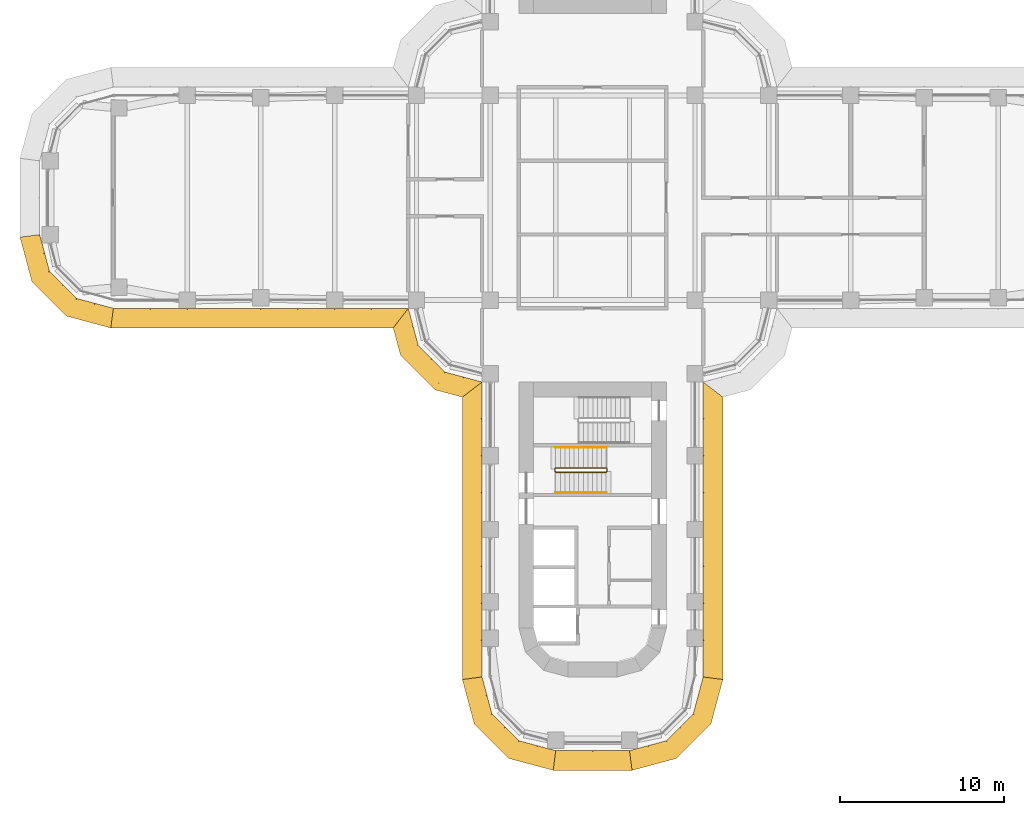
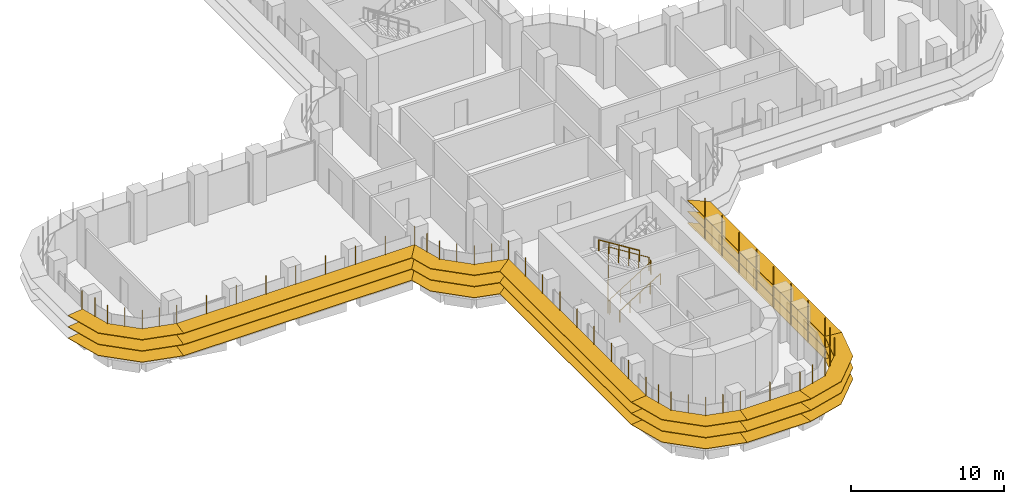
# One storey, part 20 of 23: 8 shading devices, 3 railings.
"""IFC4 building model written with IfcOpenShell, lengths in metres."""

from ifc_helpers import new_model, si_unit, direction, frame, origin, origin_2d, place, context, subcontext, project, spatial, polyline, circle, outline, extrude, faceted_brep, source, transform, mapped, material, type_object, element, save


model = new_model("IFC4")

# Units and contexts
model_context = context("Model", 3, precision=1e-05, world=origin(), true_north=direction((0.0, 1.0)))
body_context = subcontext(model_context, "Body", "Model", "MODEL_VIEW")
ifc_project = project(units=[si_unit("LENGTHUNIT", "METRE"), si_unit("AREAUNIT", "SQUARE_METRE"), si_unit("VOLUMEUNIT", "CUBIC_METRE"), si_unit("PLANEANGLEUNIT", "RADIAN"), si_unit("MASSUNIT", "GRAM", prefix="KILO")], contexts=[model_context])

# Site, building, storey
site_placement = place(None, origin())
site = spatial("IfcSite", under=ifc_project, at=site_placement, CompositionType="ELEMENT")
building_placement = place(site_placement, origin())
building = spatial("IfcBuilding", under=site, at=building_placement, Name="Zarbagh Exchange Tower", CompositionType="ELEMENT")
storey_placement = place(building_placement, frame((0.0, 0.0, 69.0)))
storey = spatial("IfcBuildingStorey", under=building, at=storey_placement, Name="L15", CompositionType="ELEMENT", Elevation=69.0)

# Railings
ifc_material_1 = material(Name="Stainless steel", Category="steel")
railing_type_1 = type_object("IfcRailingType", Name="Stair guard 1100 mm", PredefinedType="GUARDRAIL", material=ifc_material_1)
railing_1_placement = place(storey_placement, frame((0.830078125, -16.5, 2.27490234375)))
element("IfcRailing", 1, at=railing_1_placement, inside=storey, type_object=railing_type_1, Name="ST3 stair guard 1", PredefinedType="GUARDRAIL", context=body_context, shape_type="SweptSolid", body=[
    extrude(circle(Radius=0.02392578125, at=origin_2d()), frame((0.0, 0.0, 1.076171875), z_axis=(-0.847998304005, 0.0, 0.529998940003), x_axis=(0.0, -1.0, 0.0)), (0.0, 0.0, 1.0), 3.632080078125),
    extrude(circle(Radius=0.02392578125, at=origin_2d()), frame((-3.080078125, 0.0, 3.0009765625), z_axis=(-0.011914834358, -0.011914834358, -0.999858026644), x_axis=(0.707106781187, -0.707106781187, 0.0)), (0.0, 0.0, 1.0), 4.200439453125),
    extrude(circle(Radius=0.02392578125, at=origin_2d()), frame((-3.130126953125, -0.050048828125, -1.19873046875), z_axis=(0.0, -1.0, 0.0), x_axis=(1.0, 0.0, 0.0)), (0.0, 0.0, 1.0), 0.14990234375),
    extrude(circle(Radius=0.02392578125, at=origin_2d()), frame((-3.130126953125, -0.199951171875, -1.19873046875), z_axis=(0.265065253269, -0.265065253269, 0.927081885822), x_axis=(0.707106781187, 0.707106781187, 0.0)), (0.0, 0.0, 1.0), 0.188720703125),
    extrude(circle(Radius=0.02392578125, at=origin_2d()), frame((-3.080078125, -0.25, -1.02392578125), z_axis=(0.847998304005, 0.0, 0.529998940003), x_axis=(0.0, 1.0, 0.0)), (0.0, 0.0, 1.0), 3.632080078125),
    extrude(circle(Radius=0.02392578125, at=origin_2d()), frame((0.0, -0.25, 0.9013671875), z_axis=(0.705375805398, 0.708833529934, 0.0), x_axis=(-0.708833529934, 0.705375805398, 0.0)), (0.0, 0.0, 1.0), 0.070556640625),
    extrude(circle(Radius=0.02392578125, at=origin_2d()), frame((0.0498046875, -0.199951171875, 0.9013671875), z_axis=(0.0, 1.0, 0.0), x_axis=(-1.0, 0.0, 0.0)), (0.0, 0.0, 1.0), 0.14990234375),
    extrude(circle(Radius=0.02099609375, at=origin_2d()), origin(), (0.0, 0.0, 1.0), 1.052001953125),
    extrude(circle(Radius=0.02099609375, at=origin_2d()), frame((-0.77001953125, 0.0, 0.481201171875)), (0.0, 0.0, 1.0), 1.052001953125),
    extrude(circle(Radius=0.02099609375, at=origin_2d()), frame((-1.5400390625, 0.0, 0.96240234375)), (0.0, 0.0, 1.0), 1.052001953125),
    extrude(circle(Radius=0.02099609375, at=origin_2d()), frame((-2.31005859375, 0.0, 1.44384765625)), (0.0, 0.0, 1.0), 1.052001953125),
    extrude(circle(Radius=0.02099609375, at=origin_2d()), frame((-3.080078125, 0.0, 1.925048828125)), (0.0, 0.0, 1.0), 1.052001953125),
    extrude(circle(Radius=0.02099609375, at=origin_2d()), frame((-3.092529296875, -0.012451171875, 0.875)), (0.0, 0.0, 1.0), 1.052001953125),
    extrude(circle(Radius=0.02099609375, at=origin_2d()), frame((-3.10498046875, -0.02490234375, -0.1748046875)), (0.0, 0.0, 1.0), 1.052001953125),
    extrude(circle(Radius=0.02099609375, at=origin_2d()), frame((-3.11767578125, -0.03759765625, -1.224853515625)), (0.0, 0.0, 1.0), 1.052001953125),
    extrude(circle(Radius=0.02099609375, at=origin_2d()), frame((-3.130126953125, -0.050048828125, -2.27490234375)), (0.0, 0.0, 1.0), 1.052001953125),
    extrude(circle(Radius=0.02099609375, at=origin_2d()), frame((-3.130126953125, -0.199951171875, -2.27490234375)), (0.0, 0.0, 1.0), 1.052001953125),
    extrude(circle(Radius=0.02099609375, at=origin_2d()), frame((-3.080078125, -0.25, -2.099853515625)), (0.0, 0.0, 1.0), 1.052001953125),
    extrude(circle(Radius=0.02099609375, at=origin_2d()), frame((-2.31005859375, -0.25, -1.61865234375)), (0.0, 0.0, 1.0), 1.052001953125),
    extrude(circle(Radius=0.02099609375, at=origin_2d()), frame((-1.5400390625, -0.25, -1.13720703125)), (0.0, 0.0, 1.0), 1.052001953125),
    extrude(circle(Radius=0.02099609375, at=origin_2d()), frame((-0.77001953125, -0.25, -0.656005859375)), (0.0, 0.0, 1.0), 1.052001953125),
    extrude(circle(Radius=0.02099609375, at=origin_2d()), frame((0.0, -0.25, -0.1748046875)), (0.0, 0.0, 1.0), 1.052001953125),
    extrude(circle(Radius=0.02099609375, at=origin_2d()), frame((0.0498046875, -0.199951171875, -0.1748046875)), (0.0, 0.0, 1.0), 1.052001953125),
    extrude(circle(Radius=0.02099609375, at=origin_2d()), frame((0.0498046875, -0.050048828125, -0.1748046875)), (0.0, 0.0, 1.0), 1.052001953125),
])
railing_type_2 = type_object("IfcRailingType", Name="Stair handrail 900 mm", PredefinedType="HANDRAIL", material=ifc_material_1)
railing_2_placement = place(storey_placement, frame((-2.25, -18.0, 0.175048828125)))
element("IfcRailing", 2, at=railing_2_placement, inside=storey, type_object=railing_type_2, Name="ST3 stair handrail 1", PredefinedType="HANDRAIL", context=body_context, shape_type="SweptSolid", body=[
    extrude(circle(Radius=0.02392578125, at=origin_2d()), frame((0.0, 0.0, 0.8759765625), z_axis=(0.847998304005, 0.0, 0.529998940003), x_axis=(0.0, 1.0, 0.0)), (0.0, 0.0, 1.0), 3.632080078125),
    extrude(circle(Radius=0.02099609375, at=origin_2d()), origin(), (0.0, 0.0, 1.0), 0.851806640625),
    extrude(circle(Radius=0.02099609375, at=origin_2d()), frame((0.77001953125, 0.0, 0.481201171875)), (0.0, 0.0, 1.0), 0.851806640625),
    extrude(circle(Radius=0.02099609375, at=origin_2d()), frame((1.5400390625, 0.0, 0.96240234375)), (0.0, 0.0, 1.0), 0.851806640625),
    extrude(circle(Radius=0.02099609375, at=origin_2d()), frame((2.31005859375, 0.0, 1.44384765625)), (0.0, 0.0, 1.0), 0.851806640625),
    extrude(circle(Radius=0.02099609375, at=origin_2d()), frame((3.080078125, 0.0, 1.925048828125)), (0.0, 0.0, 1.0), 0.851806640625),
])
railing_3_placement = place(storey_placement, frame((0.830078125, -15.25, 2.27490234375)))
element("IfcRailing", 3, at=railing_3_placement, inside=storey, type_object=railing_type_2, Name="ST3 stair handrail 2", PredefinedType="HANDRAIL", context=body_context, shape_type="SweptSolid", body=[
    extrude(circle(Radius=0.02392578125, at=origin_2d()), frame((0.0, 0.0, 0.8759765625), z_axis=(-0.847998304005, 0.0, 0.529998940003), x_axis=(0.0, -1.0, 0.0)), (0.0, 0.0, 1.0), 3.632080078125),
    extrude(circle(Radius=0.02099609375, at=origin_2d()), origin(), (0.0, 0.0, 1.0), 0.851806640625),
    extrude(circle(Radius=0.02099609375, at=origin_2d()), frame((-0.77001953125, 0.0, 0.481201171875)), (0.0, 0.0, 1.0), 0.851806640625),
    extrude(circle(Radius=0.02099609375, at=origin_2d()), frame((-1.5400390625, 0.0, 0.96240234375)), (0.0, 0.0, 1.0), 0.851806640625),
    extrude(circle(Radius=0.02099609375, at=origin_2d()), frame((-2.31005859375, 0.0, 1.44384765625)), (0.0, 0.0, 1.0), 0.851806640625),
    extrude(circle(Radius=0.02099609375, at=origin_2d()), frame((-3.080078125, 0.0, 1.925048828125)), (0.0, 0.0, 1.0), 0.851806640625),
])

# Shading devices
ifc_material_2 = material(Name="Anodised aluminium blades and brackets", Category="aluminium")
shading_device_type = type_object("IfcShadingDeviceType", Name="SUNSHADE louvre band, 0 degree blades", PredefinedType="JALOUSIE", material=ifc_material_2)
shared_shape_1 = source(origin(), body_context, "Body", "Brep", [
    faceted_brep([(0.0, 0.0, 0.0), (0.0, 0.0, -0.0400390625), (-0.157958984375, -1.199951171875, -0.0400390625), (-0.157958984375, -1.199951171875, 0.0), (2.65087890625, -1.199951171875, 0.0), (2.65087890625, -1.199951171875, -0.0400390625), (2.329345703125, 0.0, -0.0400390625), (2.329345703125, 0.0, 0.0)], [[[0, 1, 2, 3]], [[4, 5, 6, 7]], [[0, 7, 6, 1]], [[1, 6, 5, 2]], [[2, 5, 4, 3]], [[3, 4, 7, 0]]]),
])
shared_shape_2 = source(origin(), body_context, "Body", "Brep", [
    faceted_brep([(0.0, 0.0, 0.0), (0.0, 0.0, -0.0400390625), (-0.321533203125, -1.199951171875, -0.0400390625), (-0.321533203125, -1.199951171875, 0.0), (2.65087890625, -1.199951171875, 0.0), (2.65087890625, -1.199951171875, -0.0400390625), (2.329345703125, 0.0, -0.0400390625), (2.329345703125, 0.0, 0.0)], [[[0, 1, 2, 3]], [[4, 5, 6, 7]], [[0, 7, 6, 1]], [[1, 6, 5, 2]], [[2, 5, 4, 3]], [[3, 4, 7, 0]]]),
])
shared_shape_3 = source(origin(), body_context, "Body", "Brep", [
    faceted_brep([(0.0, 0.0, 0.0), (0.0, 0.0, -0.0400390625), (-0.321533203125, -1.199951171875, -0.0400390625), (-0.321533203125, -1.199951171875, 0.0), (2.4873046875, -1.199951171875, 0.0), (2.4873046875, -1.199951171875, -0.0400390625), (2.329345703125, 0.0, -0.0400390625), (2.329345703125, 0.0, 0.0)], [[[0, 1, 2, 3]], [[4, 5, 6, 7]], [[0, 7, 6, 1]], [[1, 6, 5, 2]], [[2, 5, 4, 3]], [[3, 4, 7, 0]]]),
])
shared_shape_4 = source(origin(), body_context, "Body", "SweptSolid", [
    extrude(outline(polyline([(0.0, -0.012451171875), (0.06005859375, -0.012451171875), (0.06005859375, 0.012451171875), (0.0, 0.012451171875), (0.0, -0.012451171875)])), origin(), (0.0, 0.0, 1.0), 3.35009765625),
])
placement = place(storey_placement, origin())
element("IfcShadingDevice", 4, at=placement, inside=storey, type_object=shading_device_type, Name="SS01 sunshade band", PredefinedType="JALOUSIE", context=body_context, shape_type="MappedRepresentation", body=[
    mapped(shared_shape_1, transform((2.25, -33.75, 2.699951171875), x_axis=(0.965924289636, 0.258824779902, 0.0), y_axis=(-0.258824779902, 0.965924289636, 0.0), z_axis=(0.0, 0.0, 1.0))),
    mapped(shared_shape_1, transform((2.25, -33.75, 1.800048828125), x_axis=(0.965924289636, 0.258824779902, 0.0), y_axis=(-0.258824779902, 0.965924289636, 0.0), z_axis=(0.0, 0.0, 1.0))),
    mapped(shared_shape_1, transform((2.25, -33.75, 0.89990234375), x_axis=(0.965924289636, 0.258824779902, 0.0), y_axis=(-0.258824779902, 0.965924289636, 0.0), z_axis=(0.0, 0.0, 1.0))),
    mapped(shared_shape_2, transform((4.5, -33.147216796875, 2.699951171875), x_axis=(0.707106781187, 0.707106781187, 0.0), y_axis=(-0.707106781187, 0.707106781187, 0.0), z_axis=(0.0, 0.0, 1.0))),
    mapped(shared_shape_2, transform((4.5, -33.147216796875, 1.800048828125), x_axis=(0.707106781187, 0.707106781187, 0.0), y_axis=(-0.707106781187, 0.707106781187, 0.0), z_axis=(0.0, 0.0, 1.0))),
    mapped(shared_shape_2, transform((4.5, -33.147216796875, 0.89990234375), x_axis=(0.707106781187, 0.707106781187, 0.0), y_axis=(-0.707106781187, 0.707106781187, 0.0), z_axis=(0.0, 0.0, 1.0))),
    mapped(shared_shape_3, transform((6.147216796875, -31.5, 2.699951171875), x_axis=(0.258824779902, 0.965924289636, 0.0), y_axis=(-0.965924289636, 0.258824779902, 0.0), z_axis=(0.0, 0.0, 1.0))),
    mapped(shared_shape_3, transform((6.147216796875, -31.5, 1.800048828125), x_axis=(0.258824779902, 0.965924289636, 0.0), y_axis=(-0.965924289636, 0.258824779902, 0.0), z_axis=(0.0, 0.0, 1.0))),
    mapped(shared_shape_3, transform((6.147216796875, -31.5, 0.89990234375), x_axis=(0.258824779902, 0.965924289636, 0.0), y_axis=(-0.965924289636, 0.258824779902, 0.0), z_axis=(0.0, 0.0, 1.0))),
    mapped(shared_shape_4, transform((2.25, -33.75, 0.830078125), x_axis=(0.130529263012, -0.991444457092, 0.0), y_axis=(0.991444457092, 0.130529263012, 0.0), z_axis=(0.0, 0.0, 1.0))),
    mapped(shared_shape_4, transform((3.375, -33.448486328125, 0.830078125), x_axis=(0.258825058029, -0.96592421511, 0.0), y_axis=(0.96592421511, 0.258825058029, 0.0), z_axis=(0.0, 0.0, 1.0))),
    mapped(shared_shape_4, transform((4.5, -33.147216796875, 0.830078125), x_axis=(0.50000275701, -0.866023812018, 0.0), y_axis=(0.866023812018, 0.50000275701, 0.0), z_axis=(0.0, 0.0, 1.0))),
    mapped(shared_shape_4, transform((5.323486328125, -32.323486328125, 0.830078125), x_axis=(0.707106781187, -0.707106781187, 0.0), y_axis=(0.707106781187, 0.707106781187, 0.0), z_axis=(0.0, 0.0, 1.0))),
    mapped(shared_shape_4, transform((6.147216796875, -31.5, 0.830078125), x_axis=(0.866023812018, -0.50000275701, 0.0), y_axis=(0.50000275701, 0.866023812018, 0.0), z_axis=(0.0, 0.0, 1.0))),
    mapped(shared_shape_4, transform((6.448486328125, -30.375, 0.830078125), x_axis=(0.96592421511, -0.258825058029, 0.0), y_axis=(0.258825058029, 0.96592421511, 0.0), z_axis=(0.0, 0.0, 1.0))),
])
element("IfcShadingDevice", 5, at=placement, inside=storey, type_object=shading_device_type, Name="SS19 sunshade band", PredefinedType="JALOUSIE", context=body_context, shape_type="MappedRepresentation", body=[
    mapped(shared_shape_1, transform((-33.75, -2.25, 2.699951171875), x_axis=(0.258824779902, -0.965924289636, 0.0), y_axis=(0.965924289636, 0.258824779902, 0.0), z_axis=(0.0, 0.0, 1.0))),
    mapped(shared_shape_1, transform((-33.75, -2.25, 1.800048828125), x_axis=(0.258824779902, -0.965924289636, 0.0), y_axis=(0.965924289636, 0.258824779902, 0.0), z_axis=(0.0, 0.0, 1.0))),
    mapped(shared_shape_1, transform((-33.75, -2.25, 0.89990234375), x_axis=(0.258824779902, -0.965924289636, 0.0), y_axis=(0.965924289636, 0.258824779902, 0.0), z_axis=(0.0, 0.0, 1.0))),
    mapped(shared_shape_2, transform((-33.147216796875, -4.5, 2.699951171875), x_axis=(0.707106781187, -0.707106781187, 0.0), y_axis=(0.707106781187, 0.707106781187, 0.0), z_axis=(0.0, 0.0, 1.0))),
    mapped(shared_shape_2, transform((-33.147216796875, -4.5, 1.800048828125), x_axis=(0.707106781187, -0.707106781187, 0.0), y_axis=(0.707106781187, 0.707106781187, 0.0), z_axis=(0.0, 0.0, 1.0))),
    mapped(shared_shape_2, transform((-33.147216796875, -4.5, 0.89990234375), x_axis=(0.707106781187, -0.707106781187, 0.0), y_axis=(0.707106781187, 0.707106781187, 0.0), z_axis=(0.0, 0.0, 1.0))),
    mapped(shared_shape_3, transform((-31.5, -6.147216796875, 2.699951171875), x_axis=(0.965924289636, -0.258824779902, 0.0), y_axis=(0.258824779902, 0.965924289636, 0.0), z_axis=(0.0, 0.0, 1.0))),
    mapped(shared_shape_3, transform((-31.5, -6.147216796875, 1.800048828125), x_axis=(0.965924289636, -0.258824779902, 0.0), y_axis=(0.258824779902, 0.965924289636, 0.0), z_axis=(0.0, 0.0, 1.0))),
    mapped(shared_shape_3, transform((-31.5, -6.147216796875, 0.89990234375), x_axis=(0.965924289636, -0.258824779902, 0.0), y_axis=(0.258824779902, 0.965924289636, 0.0), z_axis=(0.0, 0.0, 1.0))),
    mapped(shared_shape_4, transform((-33.75, -2.25, 0.830078125), x_axis=(-0.991444457092, -0.130529263012, 0.0), y_axis=(0.130529263012, -0.991444457092, 0.0), z_axis=(0.0, 0.0, 1.0))),
    mapped(shared_shape_4, transform((-33.448486328125, -3.375, 0.830078125), x_axis=(-0.96592421511, -0.258825058029, 0.0), y_axis=(0.258825058029, -0.96592421511, 0.0), z_axis=(0.0, 0.0, 1.0))),
    mapped(shared_shape_4, transform((-33.147216796875, -4.5, 0.830078125), x_axis=(-0.866023812018, -0.50000275701, 0.0), y_axis=(0.50000275701, -0.866023812018, 0.0), z_axis=(0.0, 0.0, 1.0))),
    mapped(shared_shape_4, transform((-32.323486328125, -5.323486328125, 0.830078125), x_axis=(-0.707106781187, -0.707106781187, 0.0), y_axis=(0.707106781187, -0.707106781187, 0.0), z_axis=(0.0, 0.0, 1.0))),
    mapped(shared_shape_4, transform((-31.5, -6.147216796875, 0.830078125), x_axis=(-0.50000275701, -0.866023812018, 0.0), y_axis=(0.866023812018, -0.50000275701, 0.0), z_axis=(0.0, 0.0, 1.0))),
    mapped(shared_shape_4, transform((-30.375, -6.448486328125, 0.830078125), x_axis=(-0.258825058029, -0.96592421511, 0.0), y_axis=(0.96592421511, -0.258825058029, 0.0), z_axis=(0.0, 0.0, 1.0))),
])
element("IfcShadingDevice", 6, at=placement, inside=storey, type_object=shading_device_type, Name="SS23 sunshade band", PredefinedType="JALOUSIE", context=body_context, shape_type="MappedRepresentation", body=[
    mapped(shared_shape_1, transform((-6.75, -29.25, 2.699951171875), x_axis=(0.258824779902, -0.965924289636, 0.0), y_axis=(0.965924289636, 0.258824779902, 0.0), z_axis=(0.0, 0.0, 1.0))),
    mapped(shared_shape_1, transform((-6.75, -29.25, 1.800048828125), x_axis=(0.258824779902, -0.965924289636, 0.0), y_axis=(0.965924289636, 0.258824779902, 0.0), z_axis=(0.0, 0.0, 1.0))),
    mapped(shared_shape_1, transform((-6.75, -29.25, 0.89990234375), x_axis=(0.258824779902, -0.965924289636, 0.0), y_axis=(0.965924289636, 0.258824779902, 0.0), z_axis=(0.0, 0.0, 1.0))),
    mapped(shared_shape_2, transform((-6.147216796875, -31.5, 2.699951171875), x_axis=(0.707106781187, -0.707106781187, 0.0), y_axis=(0.707106781187, 0.707106781187, 0.0), z_axis=(0.0, 0.0, 1.0))),
    mapped(shared_shape_2, transform((-6.147216796875, -31.5, 1.800048828125), x_axis=(0.707106781187, -0.707106781187, 0.0), y_axis=(0.707106781187, 0.707106781187, 0.0), z_axis=(0.0, 0.0, 1.0))),
    mapped(shared_shape_2, transform((-6.147216796875, -31.5, 0.89990234375), x_axis=(0.707106781187, -0.707106781187, 0.0), y_axis=(0.707106781187, 0.707106781187, 0.0), z_axis=(0.0, 0.0, 1.0))),
    mapped(shared_shape_3, transform((-4.5, -33.147216796875, 2.699951171875), x_axis=(0.965924289636, -0.258824779902, 0.0), y_axis=(0.258824779902, 0.965924289636, 0.0), z_axis=(0.0, 0.0, 1.0))),
    mapped(shared_shape_3, transform((-4.5, -33.147216796875, 1.800048828125), x_axis=(0.965924289636, -0.258824779902, 0.0), y_axis=(0.258824779902, 0.965924289636, 0.0), z_axis=(0.0, 0.0, 1.0))),
    mapped(shared_shape_3, transform((-4.5, -33.147216796875, 0.89990234375), x_axis=(0.965924289636, -0.258824779902, 0.0), y_axis=(0.258824779902, 0.965924289636, 0.0), z_axis=(0.0, 0.0, 1.0))),
    mapped(shared_shape_4, transform((-6.75, -29.25, 0.830078125), x_axis=(-0.991444457092, -0.130529263012, 0.0), y_axis=(0.130529263012, -0.991444457092, 0.0), z_axis=(0.0, 0.0, 1.0))),
    mapped(shared_shape_4, transform((-6.448486328125, -30.375, 0.830078125), x_axis=(-0.96592421511, -0.258825058029, 0.0), y_axis=(0.258825058029, -0.96592421511, 0.0), z_axis=(0.0, 0.0, 1.0))),
    mapped(shared_shape_4, transform((-6.147216796875, -31.5, 0.830078125), x_axis=(-0.866023812018, -0.50000275701, 0.0), y_axis=(0.50000275701, -0.866023812018, 0.0), z_axis=(0.0, 0.0, 1.0))),
    mapped(shared_shape_4, transform((-5.323486328125, -32.323486328125, 0.830078125), x_axis=(-0.707106781187, -0.707106781187, 0.0), y_axis=(0.707106781187, -0.707106781187, 0.0), z_axis=(0.0, 0.0, 1.0))),
    mapped(shared_shape_4, transform((-4.5, -33.147216796875, 0.830078125), x_axis=(-0.50000275701, -0.866023812018, 0.0), y_axis=(0.866023812018, -0.50000275701, 0.0), z_axis=(0.0, 0.0, 1.0))),
    mapped(shared_shape_4, transform((-3.375, -33.448486328125, 0.830078125), x_axis=(-0.258825058029, -0.96592421511, 0.0), y_axis=(0.96592421511, -0.258825058029, 0.0), z_axis=(0.0, 0.0, 1.0))),
])
shared_shape_5 = source(origin(), body_context, "Body", "Brep", [
    faceted_brep([(0.0, 0.0, 0.0), (0.0, 0.0, -0.0400390625), (0.9208984375, -1.199951171875, -0.0400390625), (0.9208984375, -1.199951171875, 0.0), (2.65087890625, -1.199951171875, 0.0), (2.65087890625, -1.199951171875, -0.0400390625), (2.329345703125, 0.0, -0.0400390625), (2.329345703125, 0.0, 0.0)], [[[0, 1, 2, 3]], [[4, 5, 6, 7]], [[0, 7, 6, 1]], [[1, 6, 5, 2]], [[2, 5, 4, 3]], [[3, 4, 7, 0]]]),
])
shared_shape_6 = source(origin(), body_context, "Body", "Brep", [
    faceted_brep([(0.0, 0.0, 0.0), (0.0, 0.0, -0.0400390625), (-0.321533203125, -1.199951171875, -0.0400390625), (-0.321533203125, -1.199951171875, 0.0), (1.40869140625, -1.199951171875, 0.0), (1.40869140625, -1.199951171875, -0.0400390625), (2.329345703125, 0.0, -0.0400390625), (2.329345703125, 0.0, 0.0)], [[[0, 1, 2, 3]], [[4, 5, 6, 7]], [[0, 7, 6, 1]], [[1, 6, 5, 2]], [[2, 5, 4, 3]], [[3, 4, 7, 0]]]),
])
element("IfcShadingDevice", 7, at=placement, inside=storey, type_object=shading_device_type, Name="SS21 sunshade band", PredefinedType="JALOUSIE", context=body_context, shape_type="MappedRepresentation", body=[
    mapped(shared_shape_5, transform((-11.25, -6.75, 2.699951171875), x_axis=(0.258824779902, -0.965924289636, 0.0), y_axis=(0.965924289636, 0.258824779902, 0.0), z_axis=(0.0, 0.0, 1.0))),
    mapped(shared_shape_5, transform((-11.25, -6.75, 1.800048828125), x_axis=(0.258824779902, -0.965924289636, 0.0), y_axis=(0.965924289636, 0.258824779902, 0.0), z_axis=(0.0, 0.0, 1.0))),
    mapped(shared_shape_5, transform((-11.25, -6.75, 0.89990234375), x_axis=(0.258824779902, -0.965924289636, 0.0), y_axis=(0.965924289636, 0.258824779902, 0.0), z_axis=(0.0, 0.0, 1.0))),
    mapped(shared_shape_2, transform((-10.647216796875, -9.0, 2.699951171875), x_axis=(0.707106781187, -0.707106781187, 0.0), y_axis=(0.707106781187, 0.707106781187, 0.0), z_axis=(0.0, 0.0, 1.0))),
    mapped(shared_shape_2, transform((-10.647216796875, -9.0, 1.800048828125), x_axis=(0.707106781187, -0.707106781187, 0.0), y_axis=(0.707106781187, 0.707106781187, 0.0), z_axis=(0.0, 0.0, 1.0))),
    mapped(shared_shape_2, transform((-10.647216796875, -9.0, 0.89990234375), x_axis=(0.707106781187, -0.707106781187, 0.0), y_axis=(0.707106781187, 0.707106781187, 0.0), z_axis=(0.0, 0.0, 1.0))),
    mapped(shared_shape_6, transform((-9.0, -10.647216796875, 2.699951171875), x_axis=(0.965924289636, -0.258824779902, 0.0), y_axis=(0.258824779902, 0.965924289636, 0.0), z_axis=(0.0, 0.0, 1.0))),
    mapped(shared_shape_6, transform((-9.0, -10.647216796875, 1.800048828125), x_axis=(0.965924289636, -0.258824779902, 0.0), y_axis=(0.258824779902, 0.965924289636, 0.0), z_axis=(0.0, 0.0, 1.0))),
    mapped(shared_shape_6, transform((-9.0, -10.647216796875, 0.89990234375), x_axis=(0.965924289636, -0.258824779902, 0.0), y_axis=(0.258824779902, 0.965924289636, 0.0), z_axis=(0.0, 0.0, 1.0))),
    mapped(shared_shape_4, transform((-11.25, -6.75, 0.830078125), x_axis=(-0.608758892, -0.793355287, 0.0), y_axis=(0.793355287, -0.608758892, 0.0), z_axis=(0.0, 0.0, 1.0))),
    mapped(shared_shape_4, transform((-10.948486328125, -7.875, 0.830078125), x_axis=(-0.96592421511, -0.258825058029, 0.0), y_axis=(0.258825058029, -0.96592421511, 0.0), z_axis=(0.0, 0.0, 1.0))),
    mapped(shared_shape_4, transform((-10.647216796875, -9.0, 0.830078125), x_axis=(-0.866023812018, -0.50000275701, 0.0), y_axis=(0.50000275701, -0.866023812018, 0.0), z_axis=(0.0, 0.0, 1.0))),
    mapped(shared_shape_4, transform((-9.823486328125, -9.823486328125, 0.830078125), x_axis=(-0.707106781187, -0.707106781187, 0.0), y_axis=(0.707106781187, -0.707106781187, 0.0), z_axis=(0.0, 0.0, 1.0))),
    mapped(shared_shape_4, transform((-9.0, -10.647216796875, 0.830078125), x_axis=(-0.50000275701, -0.866023812018, 0.0), y_axis=(0.866023812018, -0.50000275701, 0.0), z_axis=(0.0, 0.0, 1.0))),
    mapped(shared_shape_4, transform((-7.875, -10.948486328125, 0.830078125), x_axis=(-0.258825058029, -0.96592421511, 0.0), y_axis=(0.96592421511, -0.258825058029, 0.0), z_axis=(0.0, 0.0, 1.0))),
])
shared_shape_7 = source(origin(), body_context, "Body", "Brep", [
    faceted_brep([(0.0, 0.0, 0.0), (0.0, 0.0, -0.0400390625), (-0.157958984375, -1.199951171875, -0.0400390625), (-0.157958984375, -1.199951171875, 0.0), (17.0791015625, -1.199951171875, 0.0), (17.0791015625, -1.199951171875, -0.0400390625), (18.0, 0.0, -0.0400390625), (18.0, 0.0, 0.0)], [[[0, 1, 2, 3]], [[4, 5, 6, 7]], [[0, 7, 6, 1]], [[1, 6, 5, 2]], [[2, 5, 4, 3]], [[3, 4, 7, 0]]]),
])
element("IfcShadingDevice", 8, at=placement, inside=storey, type_object=shading_device_type, Name="SS02 sunshade band", PredefinedType="JALOUSIE", context=body_context, shape_type="MappedRepresentation", body=[
    mapped(shared_shape_7, transform((6.75, -29.25, 2.699951171875), x_axis=(0.0, 1.0, 0.0), y_axis=(-1.0, 0.0, 0.0), z_axis=(0.0, 0.0, 1.0))),
    mapped(shared_shape_7, transform((6.75, -29.25, 1.800048828125), x_axis=(0.0, 1.0, 0.0), y_axis=(-1.0, 0.0, 0.0), z_axis=(0.0, 0.0, 1.0))),
    mapped(shared_shape_7, transform((6.75, -29.25, 0.89990234375), x_axis=(0.0, 1.0, 0.0), y_axis=(-1.0, 0.0, 0.0), z_axis=(0.0, 0.0, 1.0))),
    mapped(shared_shape_4, transform((6.75, -29.25, 0.830078125), x_axis=(0.991444457092, -0.130529263012, 0.0), y_axis=(0.130529263012, 0.991444457092, 0.0), z_axis=(0.0, 0.0, 1.0))),
    mapped(shared_shape_4, transform((6.75, -27.0, 0.830078125), x_axis=(1.0, 0.0, 0.0), y_axis=(0.0, 1.0, 0.0), z_axis=(0.0, 0.0, 1.0))),
    mapped(shared_shape_4, transform((6.75, -24.75, 0.830078125), x_axis=(1.0, 0.0, 0.0), y_axis=(0.0, 1.0, 0.0), z_axis=(0.0, 0.0, 1.0))),
    mapped(shared_shape_4, transform((6.75, -22.5, 0.830078125), x_axis=(1.0, 0.0, 0.0), y_axis=(0.0, 1.0, 0.0), z_axis=(0.0, 0.0, 1.0))),
    mapped(shared_shape_4, transform((6.75, -20.25, 0.830078125), x_axis=(1.0, 0.0, 0.0), y_axis=(0.0, 1.0, 0.0), z_axis=(0.0, 0.0, 1.0))),
    mapped(shared_shape_4, transform((6.75, -18.0, 0.830078125), x_axis=(1.0, 0.0, 0.0), y_axis=(0.0, 1.0, 0.0), z_axis=(0.0, 0.0, 1.0))),
    mapped(shared_shape_4, transform((6.75, -15.75, 0.830078125), x_axis=(1.0, 0.0, 0.0), y_axis=(0.0, 1.0, 0.0), z_axis=(0.0, 0.0, 1.0))),
    mapped(shared_shape_4, transform((6.75, -13.5, 0.830078125), x_axis=(1.0, 0.0, 0.0), y_axis=(0.0, 1.0, 0.0), z_axis=(0.0, 0.0, 1.0))),
])
element("IfcShadingDevice", 9, at=placement, inside=storey, type_object=shading_device_type, Name="SS20 sunshade band", PredefinedType="JALOUSIE", context=body_context, shape_type="MappedRepresentation", body=[
    mapped(shared_shape_7, transform((-29.25, -6.75, 2.699951171875), x_axis=(1.0, 0.0, 0.0), y_axis=(0.0, 1.0, 0.0), z_axis=(0.0, 0.0, 1.0))),
    mapped(shared_shape_7, transform((-29.25, -6.75, 1.800048828125), x_axis=(1.0, 0.0, 0.0), y_axis=(0.0, 1.0, 0.0), z_axis=(0.0, 0.0, 1.0))),
    mapped(shared_shape_7, transform((-29.25, -6.75, 0.89990234375), x_axis=(1.0, 0.0, 0.0), y_axis=(0.0, 1.0, 0.0), z_axis=(0.0, 0.0, 1.0))),
    mapped(shared_shape_4, transform((-29.25, -6.75, 0.830078125), x_axis=(-0.130529263012, -0.991444457092, 0.0), y_axis=(0.991444457092, -0.130529263012, 0.0), z_axis=(0.0, 0.0, 1.0))),
    mapped(shared_shape_4, transform((-27.0, -6.75, 0.830078125), x_axis=(0.0, -1.0, 0.0), y_axis=(1.0, 0.0, 0.0), z_axis=(0.0, 0.0, 1.0))),
    mapped(shared_shape_4, transform((-24.75, -6.75, 0.830078125), x_axis=(0.0, -1.0, 0.0), y_axis=(1.0, 0.0, 0.0), z_axis=(0.0, 0.0, 1.0))),
    mapped(shared_shape_4, transform((-22.5, -6.75, 0.830078125), x_axis=(0.0, -1.0, 0.0), y_axis=(1.0, 0.0, 0.0), z_axis=(0.0, 0.0, 1.0))),
    mapped(shared_shape_4, transform((-20.25, -6.75, 0.830078125), x_axis=(0.0, -1.0, 0.0), y_axis=(1.0, 0.0, 0.0), z_axis=(0.0, 0.0, 1.0))),
    mapped(shared_shape_4, transform((-18.0, -6.75, 0.830078125), x_axis=(0.0, -1.0, 0.0), y_axis=(1.0, 0.0, 0.0), z_axis=(0.0, 0.0, 1.0))),
    mapped(shared_shape_4, transform((-15.75, -6.75, 0.830078125), x_axis=(0.0, -1.0, 0.0), y_axis=(1.0, 0.0, 0.0), z_axis=(0.0, 0.0, 1.0))),
    mapped(shared_shape_4, transform((-13.5, -6.75, 0.830078125), x_axis=(0.0, -1.0, 0.0), y_axis=(1.0, 0.0, 0.0), z_axis=(0.0, 0.0, 1.0))),
])
shared_shape_8 = source(origin(), body_context, "Body", "Brep", [
    faceted_brep([(0.0, 0.0, 0.0), (0.0, 0.0, -0.0400390625), (0.9208984375, -1.199951171875, -0.0400390625), (0.9208984375, -1.199951171875, 0.0), (18.157958984375, -1.199951171875, 0.0), (18.157958984375, -1.199951171875, -0.0400390625), (18.0, 0.0, -0.0400390625), (18.0, 0.0, 0.0)], [[[0, 1, 2, 3]], [[4, 5, 6, 7]], [[0, 7, 6, 1]], [[1, 6, 5, 2]], [[2, 5, 4, 3]], [[3, 4, 7, 0]]]),
])
element("IfcShadingDevice", 10, at=placement, inside=storey, type_object=shading_device_type, Name="SS22 sunshade band", PredefinedType="JALOUSIE", context=body_context, shape_type="MappedRepresentation", body=[
    mapped(shared_shape_8, transform((-6.75, -11.25, 2.699951171875), x_axis=(0.0, -1.0, 0.0), y_axis=(1.0, 0.0, 0.0), z_axis=(0.0, 0.0, 1.0))),
    mapped(shared_shape_8, transform((-6.75, -11.25, 1.800048828125), x_axis=(0.0, -1.0, 0.0), y_axis=(1.0, 0.0, 0.0), z_axis=(0.0, 0.0, 1.0))),
    mapped(shared_shape_8, transform((-6.75, -11.25, 0.89990234375), x_axis=(0.0, -1.0, 0.0), y_axis=(1.0, 0.0, 0.0), z_axis=(0.0, 0.0, 1.0))),
    mapped(shared_shape_4, transform((-6.75, -11.25, 0.830078125), x_axis=(-0.793355287, -0.608758892, 0.0), y_axis=(0.608758892, -0.793355287, 0.0), z_axis=(0.0, 0.0, 1.0))),
    mapped(shared_shape_4, transform((-6.75, -13.5, 0.830078125), x_axis=(-1.0, 0.0, 0.0), y_axis=(0.0, -1.0, 0.0), z_axis=(0.0, 0.0, 1.0))),
    mapped(shared_shape_4, transform((-6.75, -15.75, 0.830078125), x_axis=(-1.0, 0.0, 0.0), y_axis=(0.0, -1.0, 0.0), z_axis=(0.0, 0.0, 1.0))),
    mapped(shared_shape_4, transform((-6.75, -18.0, 0.830078125), x_axis=(-1.0, 0.0, 0.0), y_axis=(0.0, -1.0, 0.0), z_axis=(0.0, 0.0, 1.0))),
    mapped(shared_shape_4, transform((-6.75, -20.25, 0.830078125), x_axis=(-1.0, 0.0, 0.0), y_axis=(0.0, -1.0, 0.0), z_axis=(0.0, 0.0, 1.0))),
    mapped(shared_shape_4, transform((-6.75, -22.5, 0.830078125), x_axis=(-1.0, 0.0, 0.0), y_axis=(0.0, -1.0, 0.0), z_axis=(0.0, 0.0, 1.0))),
    mapped(shared_shape_4, transform((-6.75, -24.75, 0.830078125), x_axis=(-1.0, 0.0, 0.0), y_axis=(0.0, -1.0, 0.0), z_axis=(0.0, 0.0, 1.0))),
    mapped(shared_shape_4, transform((-6.75, -27.0, 0.830078125), x_axis=(-1.0, 0.0, 0.0), y_axis=(0.0, -1.0, 0.0), z_axis=(0.0, 0.0, 1.0))),
])
shared_shape_9 = source(origin(), body_context, "Body", "Brep", [
    faceted_brep([(0.0, 0.0, 0.0), (0.0, 0.0, -0.0400390625), (-0.157958984375, -1.199951171875, -0.0400390625), (-0.157958984375, -1.199951171875, 0.0), (4.657958984375, -1.199951171875, 0.0), (4.657958984375, -1.199951171875, -0.0400390625), (4.5, 0.0, -0.0400390625), (4.5, 0.0, 0.0)], [[[0, 1, 2, 3]], [[4, 5, 6, 7]], [[0, 7, 6, 1]], [[1, 6, 5, 2]], [[2, 5, 4, 3]], [[3, 4, 7, 0]]]),
])
element("IfcShadingDevice", 11, at=placement, inside=storey, type_object=shading_device_type, Name="SS24 sunshade band", PredefinedType="JALOUSIE", context=body_context, shape_type="MappedRepresentation", body=[
    mapped(shared_shape_9, transform((-2.25, -33.75, 2.699951171875), x_axis=(1.0, 0.0, 0.0), y_axis=(0.0, 1.0, 0.0), z_axis=(0.0, 0.0, 1.0))),
    mapped(shared_shape_9, transform((-2.25, -33.75, 1.800048828125), x_axis=(1.0, 0.0, 0.0), y_axis=(0.0, 1.0, 0.0), z_axis=(0.0, 0.0, 1.0))),
    mapped(shared_shape_9, transform((-2.25, -33.75, 0.89990234375), x_axis=(1.0, 0.0, 0.0), y_axis=(0.0, 1.0, 0.0), z_axis=(0.0, 0.0, 1.0))),
    mapped(shared_shape_4, transform((-2.25, -33.75, 0.830078125), x_axis=(-0.130529263012, -0.991444457092, 0.0), y_axis=(0.991444457092, -0.130529263012, 0.0), z_axis=(0.0, 0.0, 1.0))),
    mapped(shared_shape_4, transform((0.0, -33.75, 0.830078125), x_axis=(0.0, -1.0, 0.0), y_axis=(1.0, 0.0, 0.0), z_axis=(0.0, 0.0, 1.0))),
])

save(model, "model.ifc")
